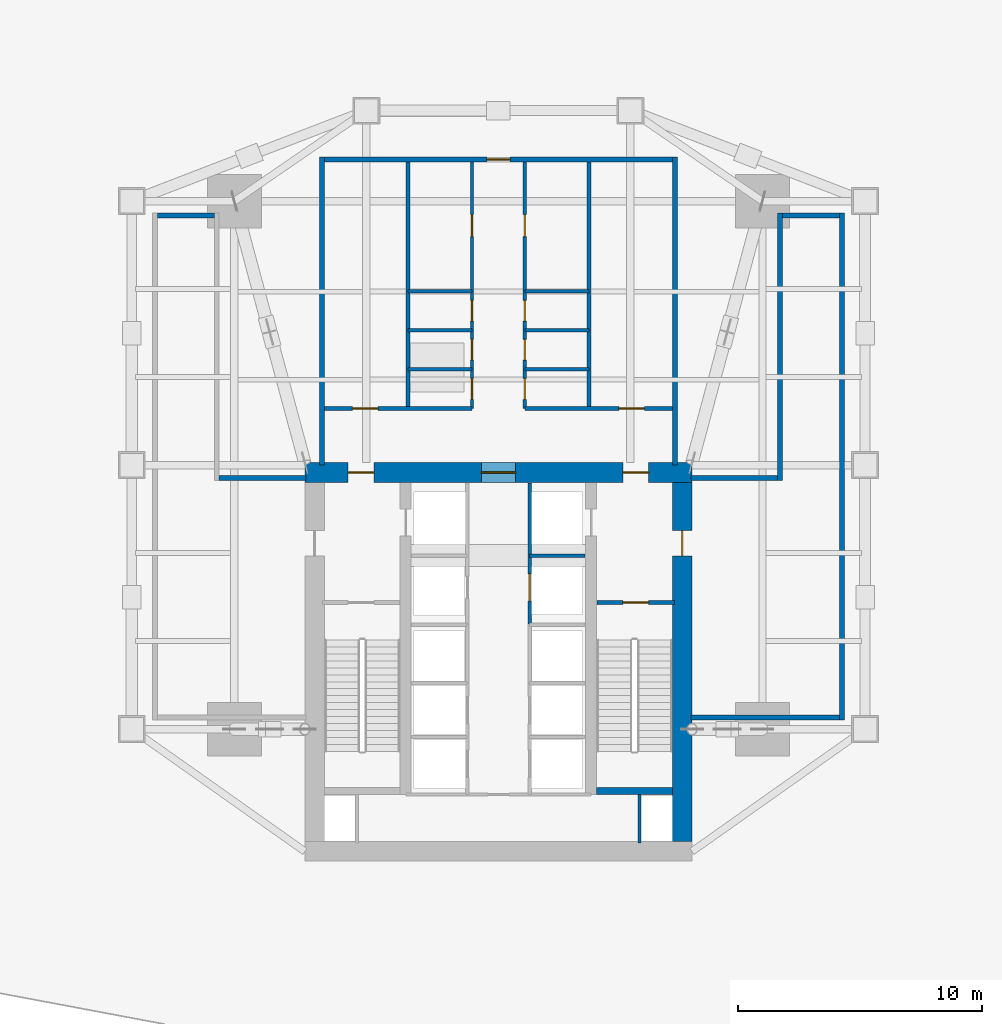
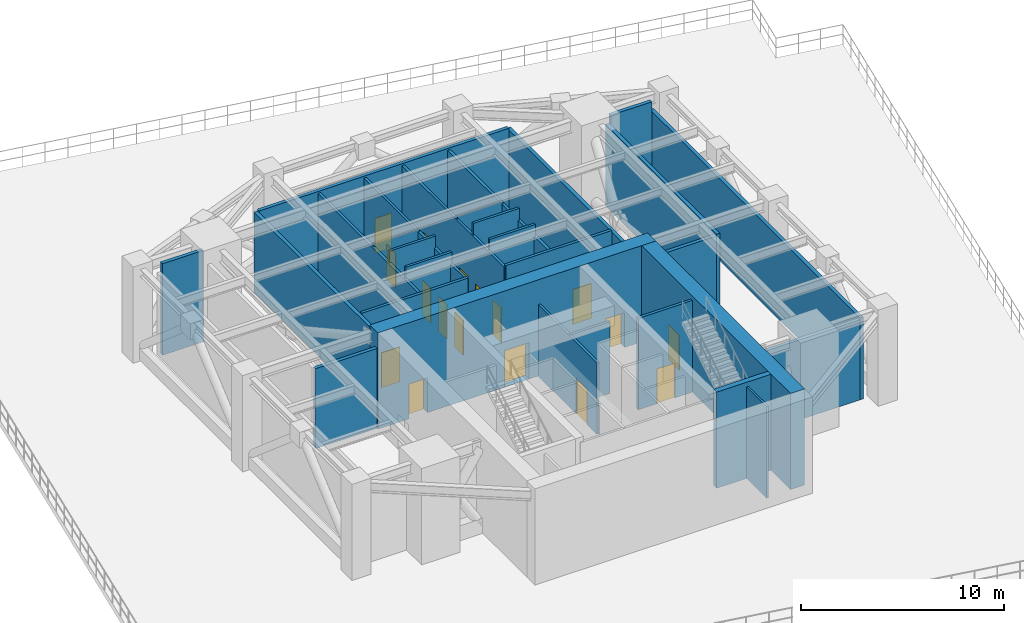
# One storey, part 5 of 10: 29 walls, 17 doors, 17 openings.
"""IFC4 building model written with IfcOpenShell, lengths in metres."""

from ifc_helpers import new_model, si_unit, direction, frame, frame_2d, origin, place, context, subcontext, project, spatial, rectangle, extrude, material, layer, layer_set, type_object, element, fill, save


model = new_model("IFC4")

# Units and contexts
model_context = context("Model", 3, precision=1e-05, world=origin(), true_north=direction((0.0, 1.0)))
body_context = subcontext(model_context, "Body", "Model", "MODEL_VIEW")
ifc_project = project(units=[si_unit("LENGTHUNIT", "METRE"), si_unit("AREAUNIT", "SQUARE_METRE"), si_unit("VOLUMEUNIT", "CUBIC_METRE"), si_unit("PLANEANGLEUNIT", "RADIAN"), si_unit("MASSUNIT", "GRAM", prefix="KILO")], contexts=[model_context])

# Site, building, storey
site_placement = place(None, origin())
site = spatial("IfcSite", under=ifc_project, at=site_placement, CompositionType="ELEMENT")
building_placement = place(site_placement, origin())
building = spatial("IfcBuilding", under=site, at=building_placement, Name="Krantzveldt Concourse Tower", CompositionType="ELEMENT")
storey_placement = place(building_placement, frame((0.0, 0.0, 80.300048828125)))
storey = spatial("IfcBuildingStorey", under=building, at=storey_placement, Name="L19", CompositionType="ELEMENT", Elevation=80.300048828125)

# Wall, opening, door
ifc_material_1 = material(Name="Concrete C40/50", Category="concrete")
ifc_layer_1 = layer(ifc_material_1, 0.199951171875, Name="Concrete C40/50", Category="concrete")
ifc_layer_set_1 = layer_set([ifc_layer_1], Name="Concrete C40/50 (WL-EXT-POD200)")
wall_type_1 = type_object("IfcWallType", Name="WL-EXT-POD200", PredefinedType="SOLIDWALL", material=ifc_layer_set_1)
wall_1_placement = place(storey_placement, frame((28.8798828125, 39.199951171875, 0.0), z_axis=(0.0, 0.0, 1.0), x_axis=(1.0, 0.0, 0.0)))
wall_1 = element("IfcWall", 1, at=wall_1_placement, inside=storey, type_object=wall_type_1, Name="WP-L19-PODN", PredefinedType="SOLIDWALL", context=body_context, shape_type="SweptSolid", body=[
    extrude(rectangle(XDim=14.240234375, YDim=0.199951171875, at=frame_2d((7.1201171875, 0.0))), origin(), (0.0, 0.0, 1.0), 4.929931640625),
])
opening_1_placement = place(wall_1_placement, frame((6.64501953125, 0.0, 0.0)))
opening_1 = element("IfcOpeningElement", 2, at=opening_1_placement, cuts=wall_1, Name="Opening D-EX95", PredefinedType="OPENING", context=body_context, shape_type="SweptSolid", body=[
    extrude(rectangle(XDim=0.949951171875, YDim=2.10009765625, at=frame_2d((0.47509765625, 1.050048828125))), frame((0.0, 0.10986328125, 0.0), z_axis=(0.0, -1.0, 0.0), x_axis=(1.0, 0.0, 0.0)), (0.0, 0.0, 1.0), 0.219970703125),
])
ifc_material_2 = material(Name="Anodised aluminium 6063-T6", Category="aluminium")
door_type_1 = type_object("IfcDoorType", Name="DR-EXT-950", OperationType="SINGLE_SWING_LEFT", PredefinedType="DOOR", material=ifc_material_2)
door_1_placement = place(opening_1_placement, origin())
door_1 = element("IfcDoor", 3, at=door_1_placement, inside=storey, type_object=door_type_1, Name="DR-L19-WDECK", OperationType="SINGLE_SWING_LEFT", OverallHeight=2.10009765625, OverallWidth=0.949951171875, PredefinedType="DOOR", context=body_context, shape_type="SweptSolid", body=[
    extrude(rectangle(XDim=0.949951171875, YDim=2.10009765625, at=frame_2d((0.47509765625, 1.050048828125))), frame((0.0, 0.02490234375, 0.0), z_axis=(0.0, -1.0, 0.0), x_axis=(1.0, 0.0, 0.0)), (0.0, 0.0, 1.0), 0.050048828125),
])
fill(opening_1, door_1)

# Walls
for number, where, z_axis, x_axis, name in (
    (4, (28.780029296875, 26.699951171875, 0.0), (0.0, 0.0, 1.0), (0.0, 1.0, 0.0), "WP-L19-PODW"),
    (5, (43.219970703125, 26.699951171875, 0.0), (0.0, 0.0, 1.0), (0.0, 1.0, 0.0), "WP-L19-PODE"),
):
    element("IfcWall", number, at=place(storey_placement, frame(where, z_axis=z_axis, x_axis=x_axis)), inside=storey, type_object=wall_type_1, Name=name, PredefinedType="SOLIDWALL", context=body_context, shape_type="SweptSolid", body=[
        extrude(rectangle(XDim=12.60009765625, YDim=0.199951171875, at=frame_2d((6.300048828125, 0.0))), origin(), (0.0, 0.0, 1.0), 4.820068359375),
    ])
wall_2_placement = place(storey_placement, frame((22.050048828125, 36.919921875, 0.0), z_axis=(0.0, 0.0, 1.0), x_axis=(1.0, 0.0, 0.0)))
element("IfcWall", 6, at=wall_2_placement, inside=storey, type_object=wall_type_1, Name="WP-L19-RWN1", PredefinedType="SOLIDWALL", context=body_context, shape_type="SweptSolid", body=[
    extrude(rectangle(XDim=2.329833984375, YDim=0.199951171875, at=frame_2d((1.1650390625, 0.0))), origin(), (0.0, 0.0, 1.0), 5.52001953125),
])
wall_3_placement = place(storey_placement, frame((24.580078125, 26.179931640625, 0.0), z_axis=(0.0, 0.0, 1.0), x_axis=(1.0, 0.0, 0.0)))
element("IfcWall", 7, at=wall_3_placement, inside=storey, type_object=wall_type_1, Name="WP-L19-RWN2", PredefinedType="SOLIDWALL", context=body_context, shape_type="SweptSolid", body=[
    extrude(rectangle(XDim=3.5400390625, YDim=0.199951171875, at=frame_2d((1.77001953125, 0.0))), origin(), (0.0, 0.0, 1.0), 4.820068359375),
])
wall_4_placement = place(storey_placement, frame((43.8798828125, 16.3798828125, 0.0), z_axis=(0.0, 0.0, 1.0), x_axis=(1.0, 0.0, 0.0)))
element("IfcWall", 8, at=wall_4_placement, inside=storey, type_object=wall_type_1, Name="WP-L19-RES", PredefinedType="SOLIDWALL", context=body_context, shape_type="SweptSolid", body=[
    extrude(rectangle(XDim=6.070068359375, YDim=0.199951171875, at=frame_2d((3.03515625, 0.0))), origin(), (0.0, 0.0, 1.0), 4.820068359375),
])
wall_5_placement = place(storey_placement, frame((50.050048828125, 16.280029296875, 0.0), z_axis=(0.0, 0.0, 1.0), x_axis=(0.0, 1.0, 0.0)))
element("IfcWall", 9, at=wall_5_placement, inside=storey, type_object=wall_type_1, Name="WP-L19-REE", PredefinedType="SOLIDWALL", context=body_context, shape_type="SweptSolid", body=[
    extrude(rectangle(XDim=20.739990234375, YDim=0.199951171875, at=frame_2d((10.3701171875, 0.0))), origin(), (0.0, 0.0, 1.0), 4.929931640625),
])
wall_6_placement = place(storey_placement, frame((47.6201171875, 36.919921875, 0.0), z_axis=(0.0, 0.0, 1.0), x_axis=(1.0, 0.0, 0.0)))
element("IfcWall", 10, at=wall_6_placement, inside=storey, type_object=wall_type_1, Name="WP-L19-REN1", PredefinedType="SOLIDWALL", context=body_context, shape_type="SweptSolid", body=[
    extrude(rectangle(XDim=2.329833984375, YDim=0.199951171875, at=frame_2d((1.1650390625, 0.0))), origin(), (0.0, 0.0, 1.0), 5.52001953125),
])
wall_7_placement = place(storey_placement, frame((47.52001953125, 26.080078125, 0.0), z_axis=(0.0, 0.0, 1.0), x_axis=(0.0, 1.0, 0.0)))
element("IfcWall", 11, at=wall_7_placement, inside=storey, type_object=wall_type_1, Name="WP-L19-RENW", PredefinedType="SOLIDWALL", context=body_context, shape_type="SweptSolid", body=[
    extrude(rectangle(XDim=10.93994140625, YDim=0.199951171875, at=frame_2d((5.469970703125, 0.0))), origin(), (0.0, 0.0, 1.0), 4.929931640625),
])
wall_8_placement = place(storey_placement, frame((43.8798828125, 26.179931640625, 0.0), z_axis=(0.0, 0.0, 1.0), x_axis=(1.0, 0.0, 0.0)))
element("IfcWall", 12, at=wall_8_placement, inside=storey, type_object=wall_type_1, Name="WP-L19-REN2", PredefinedType="SOLIDWALL", context=body_context, shape_type="SweptSolid", body=[
    extrude(rectangle(XDim=3.5400390625, YDim=0.199951171875, at=frame_2d((1.77001953125, 0.0))), origin(), (0.0, 0.0, 1.0), 4.820068359375),
])

# Wall, opening, door
ifc_material_3 = material(Name="Fire-rated gypsum plasterboard on steel stud", Category="steel")
ifc_layer_2 = layer(ifc_material_3, 0.139892578125, Name="Fire-rated gypsum plasterboard on steel stud", Category="steel")
ifc_layer_set_2 = layer_set([ifc_layer_2], Name="Fire-rated gypsum plasterboard on steel stud (WL-PART-FR140)")
wall_type_2 = type_object("IfcWallType", Name="WL-PART-FR140", PredefinedType="PARTITIONING", material=ifc_layer_set_2)
wall_9_placement = place(storey_placement, frame((37.280029296875, 20.199951171875, 0.0), z_axis=(0.0, 0.0, 1.0), x_axis=(0.0, 1.0, 0.0)))
wall_9 = element("IfcWall", 13, at=wall_9_placement, inside=storey, type_object=wall_type_2, Name="WP-L19-SHNE", PredefinedType="PARTITIONING", context=body_context, shape_type="SweptSolid", body=[
    extrude(rectangle(XDim=5.780029296875, YDim=0.139892578125, at=frame_2d((2.89013671875, 0.0))), origin(), (0.0, 0.0, 1.0), 4.320068359375),
])
opening_2_placement = place(wall_9_placement, frame((0.949951171875, 0.0, 0.0)))
opening_2 = element("IfcOpeningElement", 14, at=opening_2_placement, cuts=wall_9, Name="Opening LD", PredefinedType="OPENING", context=body_context, shape_type="SweptSolid", body=[
    extrude(rectangle(XDim=1.10009765625, YDim=2.14990234375, at=frame_2d((0.550048828125, 1.074951171875))), frame((0.0, 0.080078125, 0.0), z_axis=(0.0, -1.0, 0.0), x_axis=(1.0, 0.0, 0.0)), (0.0, 0.0, 1.0), 0.159912109375),
])
ifc_material_4 = material(Name="Stainless steel 316L", Category="steel")
door_type_2 = type_object("IfcDoorType", Name="DR-SLIDE-LD1100", OperationType="DOUBLE_DOOR_SLIDING", PredefinedType="DOOR", material=ifc_material_4)
door_2_placement = place(opening_2_placement, origin())
door_2 = element("IfcDoor", 15, at=door_2_placement, inside=storey, type_object=door_type_2, Name="LD-L19-GL1", OperationType="DOUBLE_DOOR_SLIDING", OverallHeight=2.14990234375, OverallWidth=1.10009765625, PredefinedType="DOOR", context=body_context, shape_type="SweptSolid", body=[
    extrude(rectangle(XDim=1.10009765625, YDim=2.14990234375, at=frame_2d((0.550048828125, 1.074951171875))), frame((0.0, 0.02490234375, 0.0), z_axis=(0.0, -1.0, 0.0), x_axis=(1.0, 0.0, 0.0)), (0.0, 0.0, 1.0), 0.050048828125),
])
fill(opening_2, door_2)

# Walls
wall_10_placement = place(storey_placement, frame((37.280029296875, 23.0, 0.0), z_axis=(0.0, 0.0, 1.0), x_axis=(1.0, 0.0, 0.0)))
element("IfcWall", 16, at=wall_10_placement, inside=storey, type_object=wall_type_2, Name="WP-L19-GLH", PredefinedType="PARTITIONING", context=body_context, shape_type="SweptSolid", body=[
    extrude(rectangle(XDim=2.27001953125, YDim=0.139892578125, at=frame_2d((1.135009765625, 0.0))), origin(), (0.0, 0.0, 1.0), 4.320068359375),
])
wall_11_placement = place(storey_placement, frame((41.780029296875, 11.25, 0.0), z_axis=(0.0, 0.0, 1.0), x_axis=(0.0, 1.0, 0.0)))
element("IfcWall", 17, at=wall_11_placement, inside=storey, type_object=wall_type_2, Name="WP-L19-RSE", PredefinedType="PARTITIONING", context=body_context, shape_type="SweptSolid", body=[
    extrude(rectangle(XDim=1.969970703125, YDim=0.1201171875, at=frame_2d((0.98486328125, 0.0))), origin(), (0.0, 0.0, 1.0), 5.52001953125),
])

# Wall, openings, doors
wall_12_placement = place(storey_placement, frame((34.919921875, 29.02001953125, 0.0), z_axis=(0.0, 0.0, 1.0), x_axis=(0.0, 1.0, 0.0)))
wall_12 = element("IfcWall", 18, at=wall_12_placement, inside=storey, type_object=wall_type_2, Name="WP-L19-SPL", PredefinedType="PARTITIONING", context=body_context, shape_type="SweptSolid", body=[
    extrude(rectangle(XDim=10.080078125, YDim=0.139892578125, at=frame_2d((5.0400390625, 0.0))), origin(), (0.0, 0.0, 1.0), 4.820068359375),
])
opening_3_placement = place(wall_12_placement, frame((7.030029296875, 0.0, 0.0)))
opening_3 = element("IfcOpeningElement", 19, at=opening_3_placement, cuts=wall_12, Name="Opening D-FD090", PredefinedType="OPENING", context=body_context, shape_type="SweptSolid", body=[
    extrude(rectangle(XDim=0.89990234375, YDim=2.10009765625, at=frame_2d((0.449951171875, 1.050048828125))), frame((0.0, 0.080078125, 0.0), z_axis=(0.0, -1.0, 0.0), x_axis=(1.0, 0.0, 0.0)), (0.0, 0.0, 1.0), 0.159912109375),
])
opening_4_placement = place(wall_12_placement, frame((0.375, 0.0, 0.0)))
opening_4 = element("IfcOpeningElement", 20, at=opening_4_placement, cuts=wall_12, Name="Opening D-IN085", PredefinedType="OPENING", context=body_context, shape_type="SweptSolid", body=[
    extrude(rectangle(XDim=0.85009765625, YDim=2.10009765625, at=frame_2d((0.425048828125, 1.050048828125))), frame((0.0, 0.080078125, 0.0), z_axis=(0.0, -1.0, 0.0), x_axis=(1.0, 0.0, 0.0)), (0.0, 0.0, 1.0), 0.159912109375),
])
opening_5_placement = place(wall_12_placement, frame((1.97509765625, 0.0, 0.0)))
opening_5 = element("IfcOpeningElement", 21, at=opening_5_placement, cuts=wall_12, Name="Opening D-IN085", PredefinedType="OPENING", context=body_context, shape_type="SweptSolid", body=[
    extrude(rectangle(XDim=0.85009765625, YDim=2.10009765625, at=frame_2d((0.425048828125, 1.050048828125))), frame((0.0, 0.080078125, 0.0), z_axis=(0.0, -1.0, 0.0), x_axis=(1.0, 0.0, 0.0)), (0.0, 0.0, 1.0), 0.159912109375),
])
opening_6_placement = place(wall_12_placement, frame((3.574951171875, 0.0, 0.0)))
opening_6 = element("IfcOpeningElement", 22, at=opening_6_placement, cuts=wall_12, Name="Opening D-IN085", PredefinedType="OPENING", context=body_context, shape_type="SweptSolid", body=[
    extrude(rectangle(XDim=0.85009765625, YDim=2.10009765625, at=frame_2d((0.425048828125, 1.050048828125))), frame((0.0, 0.080078125, 0.0), z_axis=(0.0, -1.0, 0.0), x_axis=(1.0, 0.0, 0.0)), (0.0, 0.0, 1.0), 0.159912109375),
])
ifc_material_5 = material(Name="Hardwood timber", Category="wood")
door_type_3 = type_object("IfcDoorType", Name="DR-FD60-900", OperationType="SINGLE_SWING_LEFT", PredefinedType="DOOR", material=ifc_material_5)
door_3_placement = place(opening_3_placement, origin())
door_3 = element("IfcDoor", 23, at=door_3_placement, inside=storey, type_object=door_type_3, Name="DR-L19-REFCNL", OperationType="SINGLE_SWING_LEFT", OverallHeight=2.10009765625, OverallWidth=0.89990234375, PredefinedType="DOOR", context=body_context, shape_type="SweptSolid", body=[
    extrude(rectangle(XDim=0.89990234375, YDim=2.10009765625, at=frame_2d((0.449951171875, 1.050048828125))), frame((0.0, 0.02490234375, 0.0), z_axis=(0.0, -1.0, 0.0), x_axis=(1.0, 0.0, 0.0)), (0.0, 0.0, 1.0), 0.050048828125),
])
fill(opening_3, door_3)
door_type_4 = type_object("IfcDoorType", Name="DR-INT-850", OperationType="SINGLE_SWING_LEFT", PredefinedType="DOOR", material=ifc_material_5)
door_4_placement = place(opening_4_placement, origin())
door_4 = element("IfcDoor", 24, at=door_4_placement, inside=storey, type_object=door_type_4, Name="DR-L19-PAHU1", OperationType="SINGLE_SWING_LEFT", OverallHeight=2.10009765625, OverallWidth=0.85009765625, PredefinedType="DOOR", context=body_context, shape_type="SweptSolid", body=[
    extrude(rectangle(XDim=0.85009765625, YDim=2.10009765625, at=frame_2d((0.425048828125, 1.050048828125))), frame((0.0, 0.02490234375, 0.0), z_axis=(0.0, -1.0, 0.0), x_axis=(1.0, 0.0, 0.0)), (0.0, 0.0, 1.0), 0.050048828125),
])
fill(opening_4, door_4)
door_5_placement = place(opening_5_placement, origin())
door_5 = element("IfcDoor", 25, at=door_5_placement, inside=storey, type_object=door_type_4, Name="DR-L19-PAHU2", OperationType="SINGLE_SWING_RIGHT", OverallHeight=2.10009765625, OverallWidth=0.85009765625, PredefinedType="DOOR", context=body_context, shape_type="SweptSolid", body=[
    extrude(rectangle(XDim=0.85009765625, YDim=2.10009765625, at=frame_2d((0.425048828125, 1.050048828125))), frame((0.0, 0.02490234375, 0.0), z_axis=(0.0, -1.0, 0.0), x_axis=(1.0, 0.0, 0.0)), (0.0, 0.0, 1.0), 0.050048828125),
])
fill(opening_5, door_5)
door_6_placement = place(opening_6_placement, origin())
door_6 = element("IfcDoor", 26, at=door_6_placement, inside=storey, type_object=door_type_4, Name="DR-L19-PSWG", OperationType="SINGLE_SWING_LEFT", OverallHeight=2.10009765625, OverallWidth=0.85009765625, PredefinedType="DOOR", context=body_context, shape_type="SweptSolid", body=[
    extrude(rectangle(XDim=0.85009765625, YDim=2.10009765625, at=frame_2d((0.425048828125, 1.050048828125))), frame((0.0, 0.02490234375, 0.0), z_axis=(0.0, -1.0, 0.0), x_axis=(1.0, 0.0, 0.0)), (0.0, 0.0, 1.0), 0.050048828125),
])
fill(opening_6, door_6)

wall_13_placement = place(storey_placement, frame((37.080078125, 29.02001953125, 0.0), z_axis=(0.0, 0.0, 1.0), x_axis=(0.0, 1.0, 0.0)))
wall_13 = element("IfcWall", 27, at=wall_13_placement, inside=storey, type_object=wall_type_2, Name="WP-L19-SPR", PredefinedType="PARTITIONING", context=body_context, shape_type="SweptSolid", body=[
    extrude(rectangle(XDim=10.080078125, YDim=0.139892578125, at=frame_2d((5.0400390625, 0.0))), origin(), (0.0, 0.0, 1.0), 4.820068359375),
])
opening_7_placement = place(wall_13_placement, frame((7.030029296875, 0.0, 0.0)))
opening_7 = element("IfcOpeningElement", 28, at=opening_7_placement, cuts=wall_13, Name="Opening D-FD090", PredefinedType="OPENING", context=body_context, shape_type="SweptSolid", body=[
    extrude(rectangle(XDim=0.89990234375, YDim=2.10009765625, at=frame_2d((0.449951171875, 1.050048828125))), frame((0.0, 0.080078125, 0.0), z_axis=(0.0, -1.0, 0.0), x_axis=(1.0, 0.0, 0.0)), (0.0, 0.0, 1.0), 0.159912109375),
])
opening_8_placement = place(wall_13_placement, frame((0.375, 0.0, 0.0)))
opening_8 = element("IfcOpeningElement", 29, at=opening_8_placement, cuts=wall_13, Name="Opening D-IN085", PredefinedType="OPENING", context=body_context, shape_type="SweptSolid", body=[
    extrude(rectangle(XDim=0.85009765625, YDim=2.10009765625, at=frame_2d((0.425048828125, 1.050048828125))), frame((0.0, 0.080078125, 0.0), z_axis=(0.0, -1.0, 0.0), x_axis=(1.0, 0.0, 0.0)), (0.0, 0.0, 1.0), 0.159912109375),
])
opening_9_placement = place(wall_13_placement, frame((1.97509765625, 0.0, 0.0)))
opening_9 = element("IfcOpeningElement", 30, at=opening_9_placement, cuts=wall_13, Name="Opening D-IN085", PredefinedType="OPENING", context=body_context, shape_type="SweptSolid", body=[
    extrude(rectangle(XDim=0.85009765625, YDim=2.10009765625, at=frame_2d((0.425048828125, 1.050048828125))), frame((0.0, 0.080078125, 0.0), z_axis=(0.0, -1.0, 0.0), x_axis=(1.0, 0.0, 0.0)), (0.0, 0.0, 1.0), 0.159912109375),
])
opening_10_placement = place(wall_13_placement, frame((3.574951171875, 0.0, 0.0)))
opening_10 = element("IfcOpeningElement", 31, at=opening_10_placement, cuts=wall_13, Name="Opening D-IN085", PredefinedType="OPENING", context=body_context, shape_type="SweptSolid", body=[
    extrude(rectangle(XDim=0.85009765625, YDim=2.10009765625, at=frame_2d((0.425048828125, 1.050048828125))), frame((0.0, 0.080078125, 0.0), z_axis=(0.0, -1.0, 0.0), x_axis=(1.0, 0.0, 0.0)), (0.0, 0.0, 1.0), 0.159912109375),
])
door_7_placement = place(opening_7_placement, origin())
door_7 = element("IfcDoor", 32, at=door_7_placement, inside=storey, type_object=door_type_3, Name="DR-L19-REFCNR", OperationType="SINGLE_SWING_RIGHT", OverallHeight=2.10009765625, OverallWidth=0.89990234375, PredefinedType="DOOR", context=body_context, shape_type="SweptSolid", body=[
    extrude(rectangle(XDim=0.89990234375, YDim=2.10009765625, at=frame_2d((0.449951171875, 1.050048828125))), frame((0.0, 0.02490234375, 0.0), z_axis=(0.0, -1.0, 0.0), x_axis=(1.0, 0.0, 0.0)), (0.0, 0.0, 1.0), 0.050048828125),
])
fill(opening_7, door_7)
door_8_placement = place(opening_8_placement, origin())
door_8 = element("IfcDoor", 33, at=door_8_placement, inside=storey, type_object=door_type_4, Name="DR-L19-PHEX", OperationType="SINGLE_SWING_RIGHT", OverallHeight=2.10009765625, OverallWidth=0.85009765625, PredefinedType="DOOR", context=body_context, shape_type="SweptSolid", body=[
    extrude(rectangle(XDim=0.85009765625, YDim=2.10009765625, at=frame_2d((0.425048828125, 1.050048828125))), frame((0.0, 0.02490234375, 0.0), z_axis=(0.0, -1.0, 0.0), x_axis=(1.0, 0.0, 0.0)), (0.0, 0.0, 1.0), 0.050048828125),
])
fill(opening_8, door_8)
door_9_placement = place(opening_9_placement, origin())
door_9 = element("IfcDoor", 34, at=door_9_placement, inside=storey, type_object=door_type_4, Name="DR-L19-PPMP", OperationType="SINGLE_SWING_LEFT", OverallHeight=2.10009765625, OverallWidth=0.85009765625, PredefinedType="DOOR", context=body_context, shape_type="SweptSolid", body=[
    extrude(rectangle(XDim=0.85009765625, YDim=2.10009765625, at=frame_2d((0.425048828125, 1.050048828125))), frame((0.0, 0.02490234375, 0.0), z_axis=(0.0, -1.0, 0.0), x_axis=(1.0, 0.0, 0.0)), (0.0, 0.0, 1.0), 0.050048828125),
])
fill(opening_9, door_9)
door_10_placement = place(opening_10_placement, origin())
door_10 = element("IfcDoor", 35, at=door_10_placement, inside=storey, type_object=door_type_4, Name="DR-L19-PTNK", OperationType="SINGLE_SWING_RIGHT", OverallHeight=2.10009765625, OverallWidth=0.85009765625, PredefinedType="DOOR", context=body_context, shape_type="SweptSolid", body=[
    extrude(rectangle(XDim=0.85009765625, YDim=2.10009765625, at=frame_2d((0.425048828125, 1.050048828125))), frame((0.0, 0.02490234375, 0.0), z_axis=(0.0, -1.0, 0.0), x_axis=(1.0, 0.0, 0.0)), (0.0, 0.0, 1.0), 0.050048828125),
])
fill(opening_10, door_10)

# Walls
for number, where, z_axis, x_axis, name in (
    (36, (32.300048828125, 33.820068359375, 0.0), (0.0, 0.0, 1.0), (1.0, 0.0, 0.0), "WP-L19-SPNL"),
    (37, (37.080078125, 33.820068359375, 0.0), (0.0, 0.0, 1.0), (1.0, 0.0, 0.0), "WP-L19-SPNR"),
):
    element("IfcWall", number, at=place(storey_placement, frame(where, z_axis=z_axis, x_axis=x_axis)), inside=storey, type_object=wall_type_2, Name=name, PredefinedType="PARTITIONING", context=body_context, shape_type="SweptSolid", body=[
        extrude(rectangle(XDim=2.619873046875, YDim=0.139892578125, at=frame_2d((1.31005859375, 0.0))), origin(), (0.0, 0.0, 1.0), 4.969970703125),
    ])
for number, where, z_axis, x_axis, name in (
    (38, (32.300048828125, 30.6201171875, 0.0), (0.0, 0.0, 1.0), (1.0, 0.0, 0.0), "WP-L19-DWL1"),
    (39, (32.300048828125, 32.219970703125, 0.0), (0.0, 0.0, 1.0), (1.0, 0.0, 0.0), "WP-L19-DWL2"),
    (40, (37.080078125, 30.6201171875, 0.0), (0.0, 0.0, 1.0), (1.0, 0.0, 0.0), "WP-L19-DWR1"),
    (41, (37.080078125, 32.219970703125, 0.0), (0.0, 0.0, 1.0), (1.0, 0.0, 0.0), "WP-L19-DWR2"),
):
    element("IfcWall", number, at=place(storey_placement, frame(where, z_axis=z_axis, x_axis=x_axis)), inside=storey, type_object=wall_type_2, Name=name, PredefinedType="PARTITIONING", context=body_context, shape_type="SweptSolid", body=[
        extrude(rectangle(XDim=2.619873046875, YDim=0.139892578125, at=frame_2d((1.31005859375, 0.0))), origin(), (0.0, 0.0, 1.0), 5.52001953125),
    ])

# Wall, opening, door
ifc_layer_3 = layer(ifc_material_3, 0.159912109375, Name="Fire-rated gypsum plasterboard on steel stud", Category="steel")
ifc_layer_set_3 = layer_set([ifc_layer_3], Name="Fire-rated gypsum plasterboard on steel stud (WL-PART-FR160)")
wall_type_3 = type_object("IfcWallType", Name="WL-PART-FR160", PredefinedType="PARTITIONING", material=ifc_layer_set_3)
wall_14_placement = place(storey_placement, frame((40.0400390625, 21.080078125, 0.0), z_axis=(0.0, 0.0, 1.0), x_axis=(1.0, 0.0, 0.0)))
wall_14 = element("IfcWall", 42, at=wall_14_placement, inside=storey, type_object=wall_type_3, Name="WP-L19-ST2", PredefinedType="PARTITIONING", context=body_context, shape_type="SweptSolid", body=[
    extrude(rectangle(XDim=3.159912109375, YDim=0.159912109375, at=frame_2d((1.580078125, 0.0))), origin(), (0.0, 0.0, 1.0), 5.52001953125),
])
opening_11_placement = place(wall_14_placement, frame((1.054931640625, 0.0, 0.0)))
opening_11 = element("IfcOpeningElement", 43, at=opening_11_placement, cuts=wall_14, Name="Opening D-FD105", PredefinedType="OPENING", context=body_context, shape_type="SweptSolid", body=[
    extrude(rectangle(XDim=1.050048828125, YDim=2.10009765625, at=frame_2d((0.52490234375, 1.050048828125))), frame((0.0, 0.08984375, 0.0), z_axis=(0.0, -1.0, 0.0), x_axis=(1.0, 0.0, 0.0)), (0.0, 0.0, 1.0), 0.179931640625),
])
ifc_material_6 = material(Name="Galvanised steel", Category="steel")
door_type_5 = type_object("IfcDoorType", Name="DR-FD120-1050", OperationType="SINGLE_SWING_LEFT", PredefinedType="DOOR", material=ifc_material_6)
door_11_placement = place(opening_11_placement, origin())
door_11 = element("IfcDoor", 44, at=door_11_placement, inside=storey, type_object=door_type_5, Name="DR-L19-ST2", OperationType="SINGLE_SWING_LEFT", OverallHeight=2.10009765625, OverallWidth=1.050048828125, PredefinedType="DOOR", context=body_context, shape_type="SweptSolid", body=[
    extrude(rectangle(XDim=1.050048828125, YDim=2.10009765625, at=frame_2d((0.52490234375, 1.050048828125))), frame((0.0, 0.02490234375, 0.0), z_axis=(0.0, -1.0, 0.0), x_axis=(1.0, 0.0, 0.0)), (0.0, 0.0, 1.0), 0.050048828125),
])
fill(opening_11, door_11)

wall_15_placement = place(storey_placement, frame((28.8798828125, 29.02001953125, 0.0), z_axis=(0.0, 0.0, 1.0), x_axis=(1.0, 0.0, 0.0)))
wall_15 = element("IfcWall", 45, at=wall_15_placement, inside=storey, type_object=wall_type_3, Name="WP-L19-CHDRL", PredefinedType="PARTITIONING", context=body_context, shape_type="SweptSolid", body=[
    extrude(rectangle(XDim=6.0400390625, YDim=0.159912109375, at=frame_2d((3.02001953125, 0.0))), origin(), (0.0, 0.0, 1.0), 4.929931640625),
])
opening_12_placement = place(wall_15_placement, frame((1.14501953125, 0.0, 0.0)))
opening_12 = element("IfcOpeningElement", 46, at=opening_12_placement, cuts=wall_15, Name="Opening D-FD105", PredefinedType="OPENING", context=body_context, shape_type="SweptSolid", body=[
    extrude(rectangle(XDim=1.050048828125, YDim=2.10009765625, at=frame_2d((0.52490234375, 1.050048828125))), frame((0.0, 0.08984375, 0.0), z_axis=(0.0, -1.0, 0.0), x_axis=(1.0, 0.0, 0.0)), (0.0, 0.0, 1.0), 0.179931640625),
])
door_12_placement = place(opening_12_placement, origin())
door_12 = element("IfcDoor", 47, at=door_12_placement, inside=storey, type_object=door_type_5, Name="DR-L19-REFW2", OperationType="SINGLE_SWING_LEFT", OverallHeight=2.10009765625, OverallWidth=1.050048828125, PredefinedType="DOOR", context=body_context, shape_type="SweptSolid", body=[
    extrude(rectangle(XDim=1.050048828125, YDim=2.10009765625, at=frame_2d((0.52490234375, 1.050048828125))), frame((0.0, 0.02490234375, 0.0), z_axis=(0.0, -1.0, 0.0), x_axis=(1.0, 0.0, 0.0)), (0.0, 0.0, 1.0), 0.050048828125),
])
fill(opening_12, door_12)

wall_16_placement = place(storey_placement, frame((37.080078125, 29.02001953125, 0.0), z_axis=(0.0, 0.0, 1.0), x_axis=(1.0, 0.0, 0.0)))
wall_16 = element("IfcWall", 48, at=wall_16_placement, inside=storey, type_object=wall_type_3, Name="WP-L19-CHDRR", PredefinedType="PARTITIONING", context=body_context, shape_type="SweptSolid", body=[
    extrude(rectangle(XDim=6.0400390625, YDim=0.159912109375, at=frame_2d((3.02001953125, 0.0))), origin(), (0.0, 0.0, 1.0), 4.929931640625),
])
opening_13_placement = place(wall_16_placement, frame((3.844970703125, 0.0, 0.0)))
opening_13 = element("IfcOpeningElement", 49, at=opening_13_placement, cuts=wall_16, Name="Opening D-FD105", PredefinedType="OPENING", context=body_context, shape_type="SweptSolid", body=[
    extrude(rectangle(XDim=1.050048828125, YDim=2.10009765625, at=frame_2d((0.52490234375, 1.050048828125))), frame((0.0, 0.08984375, 0.0), z_axis=(0.0, -1.0, 0.0), x_axis=(1.0, 0.0, 0.0)), (0.0, 0.0, 1.0), 0.179931640625),
])
door_13_placement = place(opening_13_placement, origin())
door_13 = element("IfcDoor", 50, at=door_13_placement, inside=storey, type_object=door_type_5, Name="DR-L19-REFE2", OperationType="SINGLE_SWING_RIGHT", OverallHeight=2.10009765625, OverallWidth=1.050048828125, PredefinedType="DOOR", context=body_context, shape_type="SweptSolid", body=[
    extrude(rectangle(XDim=1.050048828125, YDim=2.10009765625, at=frame_2d((0.52490234375, 1.050048828125))), frame((0.0, 0.02490234375, 0.0), z_axis=(0.0, -1.0, 0.0), x_axis=(1.0, 0.0, 0.0)), (0.0, 0.0, 1.0), 0.050048828125),
])
fill(opening_13, door_13)

# Walls
for number, where, z_axis, x_axis, name in (
    (51, (32.300048828125, 29.02001953125, 0.0), (0.0, 0.0, 1.0), (0.0, 1.0, 0.0), "WP-L19-RW"),
    (52, (39.699951171875, 29.02001953125, 0.0), (0.0, 0.0, 1.0), (0.0, 1.0, 0.0), "WP-L19-RE"),
):
    element("IfcWall", number, at=place(storey_placement, frame(where, z_axis=z_axis, x_axis=x_axis)), inside=storey, type_object=wall_type_3, Name=name, PredefinedType="PARTITIONING", context=body_context, shape_type="SweptSolid", body=[
        extrude(rectangle(XDim=10.080078125, YDim=0.159912109375, at=frame_2d((5.0400390625, 0.0))), origin(), (0.0, 0.0, 1.0), 4.820068359375),
    ])
ifc_material_7 = material(Name="Concrete C50/60", Category="concrete")
ifc_layer_4 = layer(ifc_material_7, 0.300048828125, Name="Concrete C50/60", Category="concrete")
ifc_layer_set_4 = layer_set([ifc_layer_4], Name="Concrete C50/60 (WL-SHEAR-300)")
wall_type_4 = type_object("IfcWallType", Name="WL-SHEAR-300", PredefinedType="SHEAR", material=ifc_layer_set_4)
wall_17_placement = place(storey_placement, frame((40.02001953125, 13.3701171875, 0.0), z_axis=(0.0, 0.0, 1.0), x_axis=(1.0, 0.0, 0.0)))
element("IfcWall", 53, at=wall_17_placement, inside=storey, type_object=wall_type_4, Name="CW-L19-ST2S", PredefinedType="SHEAR", context=body_context, shape_type="SweptSolid", body=[
    extrude(rectangle(XDim=3.10009765625, YDim=0.300048828125, at=frame_2d((1.550048828125, 0.0))), origin(), (0.0, 0.0, 1.0), 5.800048828125),
])

# Wall, openings, doors
ifc_material_8 = material(Name="Concrete C60/75", Category="concrete")
ifc_layer_5 = layer(ifc_material_8, 0.800048828125, Name="Concrete C60/75", Category="concrete")
ifc_layer_set_5 = layer_set([ifc_layer_5], Name="Concrete C60/75 (WL-SHEAR-800)")
wall_type_5 = type_object("IfcWallType", Name="WL-SHEAR-800", PredefinedType="SHEAR", material=ifc_layer_set_5)
wall_18_placement = place(storey_placement, frame((28.080078125, 26.39990234375, 0.0), z_axis=(0.0, 0.0, 1.0), x_axis=(1.0, 0.0, 0.0)))
wall_18 = element("IfcWall", 54, at=wall_18_placement, inside=storey, type_object=wall_type_5, Name="CW-L19-N", PredefinedType="SHEAR", context=body_context, shape_type="SweptSolid", body=[
    extrude(rectangle(XDim=15.83984375, YDim=0.800048828125, at=frame_2d((7.919921875, 0.0))), origin(), (0.0, 0.0, 1.0), 5.800048828125),
])
opening_14_placement = place(wall_18_placement, frame((7.219970703125, 0.0, 0.0)))
opening_14 = element("IfcOpeningElement", 55, at=opening_14_placement, cuts=wall_18, Name="Opening D-DB140", PredefinedType="OPENING", context=body_context, shape_type="SweptSolid", body=[
    extrude(rectangle(XDim=1.39990234375, YDim=2.199951171875, at=frame_2d((0.699951171875, 1.10009765625))), frame((0.0, 0.41015625, 0.0), z_axis=(0.0, -1.0, 0.0), x_axis=(1.0, 0.0, 0.0)), (0.0, 0.0, 1.0), 0.820068359375),
])
opening_15_placement = place(wall_18_placement, frame((1.77490234375, 0.0, 0.0)))
opening_15 = element("IfcOpeningElement", 56, at=opening_15_placement, cuts=wall_18, Name="Opening D-FD105", PredefinedType="OPENING", context=body_context, shape_type="SweptSolid", body=[
    extrude(rectangle(XDim=1.050048828125, YDim=2.10009765625, at=frame_2d((0.52490234375, 1.050048828125))), frame((0.0, 0.41015625, 0.0), z_axis=(0.0, -1.0, 0.0), x_axis=(1.0, 0.0, 0.0)), (0.0, 0.0, 1.0), 0.820068359375),
])
opening_16_placement = place(wall_18_placement, frame((13.014892578125, 0.0, 0.0)))
opening_16 = element("IfcOpeningElement", 57, at=opening_16_placement, cuts=wall_18, Name="Opening D-FD105", PredefinedType="OPENING", context=body_context, shape_type="SweptSolid", body=[
    extrude(rectangle(XDim=1.050048828125, YDim=2.10009765625, at=frame_2d((0.52490234375, 1.050048828125))), frame((0.0, 0.41015625, 0.0), z_axis=(0.0, -1.0, 0.0), x_axis=(1.0, 0.0, 0.0)), (0.0, 0.0, 1.0), 0.820068359375),
])
door_type_6 = type_object("IfcDoorType", Name="DR-DBL-1400", OperationType="DOUBLE_DOOR_SINGLE_SWING", PredefinedType="DOOR", material=ifc_material_2)
door_14_placement = place(opening_14_placement, origin())
door_14 = element("IfcDoor", 58, at=door_14_placement, inside=storey, type_object=door_type_6, Name="DR-L19-LLB", OperationType="DOUBLE_DOOR_SINGLE_SWING", OverallHeight=2.199951171875, OverallWidth=1.39990234375, PredefinedType="DOOR", context=body_context, shape_type="SweptSolid", body=[
    extrude(rectangle(XDim=1.39990234375, YDim=2.199951171875, at=frame_2d((0.699951171875, 1.10009765625))), frame((0.0, 0.02490234375, 0.0), z_axis=(0.0, -1.0, 0.0), x_axis=(1.0, 0.0, 0.0)), (0.0, 0.0, 1.0), 0.050048828125),
])
fill(opening_14, door_14)
door_15_placement = place(opening_15_placement, origin())
door_15 = element("IfcDoor", 59, at=door_15_placement, inside=storey, type_object=door_type_5, Name="DR-L19-FFL1", OperationType="SINGLE_SWING_LEFT", OverallHeight=2.10009765625, OverallWidth=1.050048828125, PredefinedType="DOOR", context=body_context, shape_type="SweptSolid", body=[
    extrude(rectangle(XDim=1.050048828125, YDim=2.10009765625, at=frame_2d((0.52490234375, 1.050048828125))), frame((0.0, 0.02490234375, 0.0), z_axis=(0.0, -1.0, 0.0), x_axis=(1.0, 0.0, 0.0)), (0.0, 0.0, 1.0), 0.050048828125),
])
fill(opening_15, door_15)
door_16_placement = place(opening_16_placement, origin())
door_16 = element("IfcDoor", 60, at=door_16_placement, inside=storey, type_object=door_type_5, Name="DR-L19-FFL2", OperationType="SINGLE_SWING_RIGHT", OverallHeight=2.10009765625, OverallWidth=1.050048828125, PredefinedType="DOOR", context=body_context, shape_type="SweptSolid", body=[
    extrude(rectangle(XDim=1.050048828125, YDim=2.10009765625, at=frame_2d((0.52490234375, 1.050048828125))), frame((0.0, 0.02490234375, 0.0), z_axis=(0.0, -1.0, 0.0), x_axis=(1.0, 0.0, 0.0)), (0.0, 0.0, 1.0), 0.050048828125),
])
fill(opening_16, door_16)

# Wall, opening, door
wall_19_placement = place(storey_placement, frame((43.52001953125, 11.300048828125, 0.0), z_axis=(0.0, 0.0, 1.0), x_axis=(0.0, 1.0, 0.0)))
wall_19 = element("IfcWall", 61, at=wall_19_placement, inside=storey, type_object=wall_type_5, Name="CW-L19-E", PredefinedType="SHEAR", context=body_context, shape_type="SweptSolid", body=[
    extrude(rectangle(XDim=14.699951171875, YDim=0.800048828125, at=frame_2d((7.35009765625, 0.0))), origin(), (0.0, 0.0, 1.0), 5.800048828125),
])
opening_17_placement = place(wall_19_placement, frame((11.675048828125, 0.0, 0.0)))
opening_17 = element("IfcOpeningElement", 62, at=opening_17_placement, cuts=wall_19, Name="Opening D-FD105", PredefinedType="OPENING", context=body_context, shape_type="SweptSolid", body=[
    extrude(rectangle(XDim=1.050048828125, YDim=2.10009765625, at=frame_2d((0.52490234375, 1.050048828125))), frame((0.0, 0.41015625, 0.0), z_axis=(0.0, -1.0, 0.0), x_axis=(1.0, 0.0, 0.0)), (0.0, 0.0, 1.0), 0.820068359375),
])
door_17_placement = place(opening_17_placement, origin())
door_17 = element("IfcDoor", 63, at=door_17_placement, inside=storey, type_object=door_type_5, Name="DR-L19-ST2RE", OperationType="SINGLE_SWING_RIGHT", OverallHeight=2.10009765625, OverallWidth=1.050048828125, PredefinedType="DOOR", context=body_context, shape_type="SweptSolid", body=[
    extrude(rectangle(XDim=1.050048828125, YDim=2.10009765625, at=frame_2d((0.52490234375, 1.050048828125))), frame((0.0, 0.02490234375, 0.0), z_axis=(0.0, -1.0, 0.0), x_axis=(1.0, 0.0, 0.0)), (0.0, 0.0, 1.0), 0.050048828125),
])
fill(opening_17, door_17)

save(model, "model.ifc")
